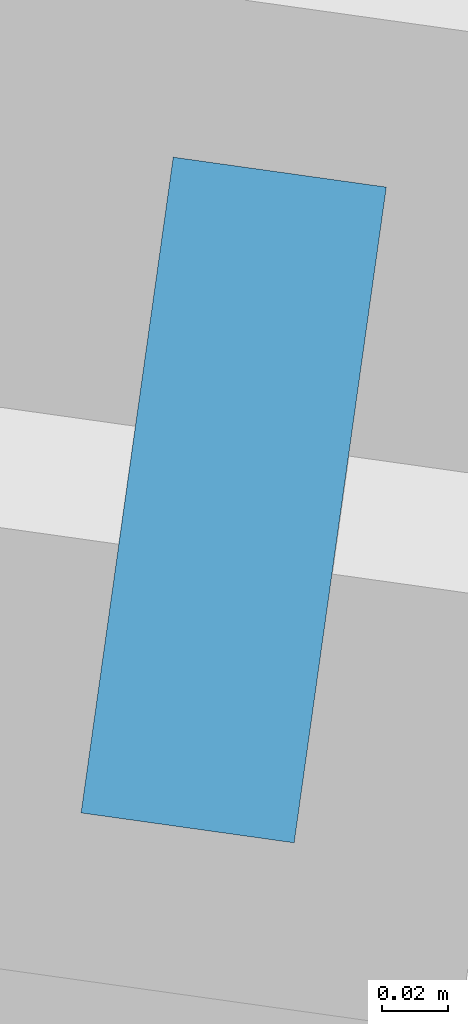
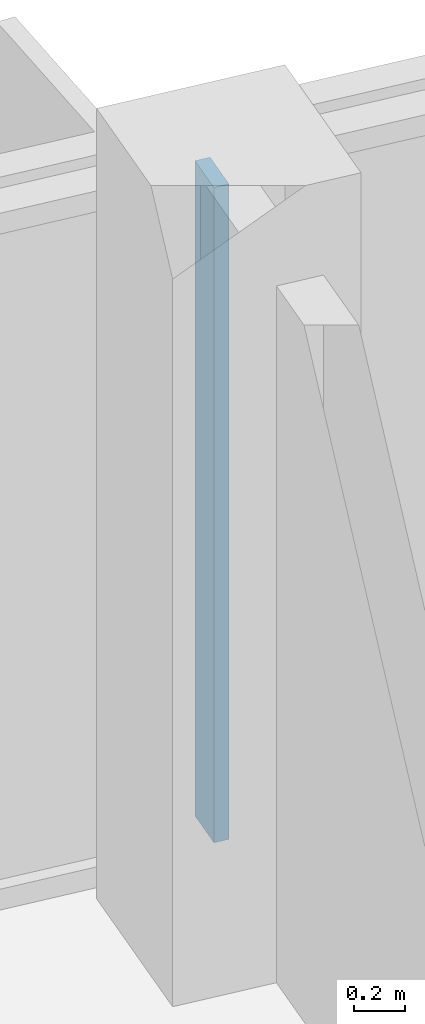
# One storey, part 3 of 26: 1 member, 1 element without a shape of its own.
"""IFC4 building model written with IfcOpenShell, lengths in metres."""

import ifcopenshell
import ifcopenshell.guid

model = None  # the IFC model being written
_history = None  # IfcOwnerHistory: only IFC2X3 demands one
_inside = {}  # id of a spatial element -> (the spatial element, [elements in it])
_under = {}  # id of a project, library or spatial element -> (it, [spatial elements below it])
_declared = {}  # id of a project -> (the project, [libraries it declares])
_typed = {}  # id of a type object -> (the type object, [elements of that type])
_made_of = {}  # id of a material, layer set ... -> (it, [elements and type objects made of it])


def new_model(schema):
    """Start an empty IFC model of exactly this schema.

    Asked for "IFC4X3", IfcOpenShell would pick the latest addendum, in which some entities
    have other attributes; the version numbers below select the first issue.
    IFC2X3 requires an IfcOwnerHistory on every rooted entity: one is made here for all.
    """
    global model, _history
    if schema == "IFC4X3":
        model = ifcopenshell.file(schema_version=(4, 3, 0, 0))
    else:
        model = ifcopenshell.file(schema=schema)
    _inside.clear()
    _under.clear()
    _declared.clear()
    _typed.clear()
    _made_of.clear()
    _history = None
    if model.schema == "IFC2X3":
        org = make("IfcOrganization", Name="unknown")
        user = make(
            "IfcPersonAndOrganization",
            ThePerson=make("IfcPerson", FamilyName="unknown"),
            TheOrganization=org,
        )
        app = make(
            "IfcApplication",
            ApplicationDeveloper=org,
            Version="unknown",
            ApplicationFullName="unknown",
            ApplicationIdentifier="unknown",
        )
        _history = make(
            "IfcOwnerHistory",
            OwningUser=user,
            OwningApplication=app,
            ChangeAction="ADDED",
            CreationDate=0,
        )
    return model


def make(cls, **values):
    """One entity of the class cls with the attributes given. An attribute that is None is left unset."""
    return model.create_entity(
        cls, **{name: value for name, value in values.items() if value is not None}
    )


def rooted(cls, **values):
    """An entity with a GlobalId (a new one), such as an element, a storey or a relation."""
    return make(cls, GlobalId=ifcopenshell.guid.new(), OwnerHistory=_history, **values)


def si_unit(unit_type, name, prefix=None):
    """IfcSIUnit, for example si_unit("LENGTHUNIT", "METRE", prefix="MILLI")."""
    return make("IfcSIUnit", UnitType=unit_type, Prefix=prefix, Name=name)


def assignment(units):
    """IfcUnitAssignment: the units of a project."""
    return None if units is None else make("IfcUnitAssignment", Units=units)


def point(xyz):
    """IfcCartesianPoint."""
    return None if xyz is None else make("IfcCartesianPoint", Coordinates=xyz)


def direction(xyz):
    """IfcDirection."""
    return None if xyz is None else make("IfcDirection", DirectionRatios=xyz)


def frame(location, z_axis=None, x_axis=None):
    """IfcAxis2Placement3D, a coordinate frame: its origin and axes. An axis left out is left unset."""
    return make(
        "IfcAxis2Placement3D",
        Location=point(location),
        Axis=direction(z_axis),
        RefDirection=direction(x_axis),
    )


def frame_2d(location, x_axis=None):
    """IfcAxis2Placement2D, a coordinate frame in the plane: its origin and x axis."""
    return make(
        "IfcAxis2Placement2D", Location=point(location), RefDirection=direction(x_axis)
    )


def origin():
    """The frame at (0, 0, 0) with its axes left unset."""
    return frame((0.0, 0.0, 0.0))


def origin_2d():
    """The frame at (0, 0) in the plane with its x axis left unset."""
    return frame_2d((0.0, 0.0))


def place(relative_to, where):
    """IfcLocalPlacement: puts the frame where relative to a parent placement (None: the world)."""
    return make(
        "IfcLocalPlacement", PlacementRelTo=relative_to, RelativePlacement=where
    )


def context(
    kind, dimensions, precision=None, world=None, true_north=None, identifier=None
):
    """IfcGeometricRepresentationContext, for example the 3D "Model" context."""
    return make(
        "IfcGeometricRepresentationContext",
        ContextIdentifier=identifier,
        ContextType=kind,
        CoordinateSpaceDimension=dimensions,
        Precision=precision,
        WorldCoordinateSystem=world,
        TrueNorth=true_north,
    )


def subcontext(parent, identifier, kind, view, scale=None):
    """IfcGeometricRepresentationSubContext, for example "Body" below "Model"."""
    return make(
        "IfcGeometricRepresentationSubContext",
        ContextIdentifier=identifier,
        ContextType=kind,
        ParentContext=parent,
        TargetScale=scale,
        TargetView=view,
    )


def project(units=None, contexts=None):
    """IfcProject with its units and contexts."""
    return rooted(
        "IfcProject",
        Name="project",
        RepresentationContexts=contexts,
        UnitsInContext=assignment(units),
    )


def spatial(cls, under=None, at=None, **own):
    """A site, building, storey or space (cls), placed at a placement, below another one or the project."""
    s = rooted(cls, ObjectPlacement=at, **own)
    if under is not None:
        _under.setdefault(under.id(), (under, []))[1].append(s)
    return s


def profile(cls, at=None, kind="AREA", **sizes):
    """A parametric profile (cls). Its sizes go by their IFC names, for example OverallWidth=200.0."""
    return make(cls, ProfileType=kind, Position=at, **sizes)


def rectangle(**sizes):
    """IfcRectangleProfileDef."""
    return profile("IfcRectangleProfileDef", **sizes)


def extrude(swept, where, along, depth):
    """IfcExtrudedAreaSolid: the profile swept, set in the frame where, extruded along a direction by depth."""
    return make(
        "IfcExtrudedAreaSolid",
        SweptArea=swept,
        Position=where,
        ExtrudedDirection=direction(along),
        Depth=depth,
    )


def shape(context_of_items, identifier, shape_type, items):
    """IfcShapeRepresentation: the items that make up one representation, for example the "Body"."""
    return make(
        "IfcShapeRepresentation",
        ContextOfItems=context_of_items,
        RepresentationIdentifier=identifier,
        RepresentationType=shape_type,
        Items=items,
    )


def material(Name=None, Category=None):
    """IfcMaterial."""
    return make("IfcMaterial", Name=Name, Category=Category)


def material_profile(
    of_material, cross_section, Name=None, Category=None, Priority=None
):
    """IfcMaterialProfile: a cross section and its material."""
    return make(
        "IfcMaterialProfile",
        Name=Name,
        Material=of_material,
        Profile=cross_section,
        Priority=Priority,
        Category=Category,
    )


def profile_set(profiles, Name=None, composite=None):
    """IfcMaterialProfileSet."""
    return make(
        "IfcMaterialProfileSet",
        Name=Name,
        MaterialProfiles=profiles,
        CompositeProfile=composite,
    )


def made_of(thing, what):
    """Note that an element or type object is made of a material, layer set ...; save() writes the relation."""
    if what is not None:
        _made_of.setdefault(what.id(), (what, []))[1].append(thing)
    return thing


def type_object(cls, material=None, **own):
    """A type object (cls), such as IfcWallType, which elements share."""
    return made_of(rooted(cls, **own), material)


def element(
    cls,
    number,
    at=None,
    inside=None,
    cuts=None,
    type_object=None,
    material=None,
    context=None,
    identifier="Body",
    shape_type=None,
    held_by="IfcProductDefinitionShape",
    body=None,
    shapes=None,
    **own,
):
    """One element of the class cls, such as IfcWall. Its Tag is "e" and its number.

    at: its placement. inside: the storey or other place that contains it. cuts: it is an
    opening in that element (IfcRelVoidsElement). A single representation is given by context,
    identifier, shape_type and body (its items); several are given by shapes. held_by: the class
    of the entity that holds the representations. save() writes the other relations.
    """
    e = rooted(cls, Tag="e%d" % number, ObjectPlacement=at, **own)
    if body is not None:
        shapes = [shape(context, identifier, shape_type, body)]
    if shapes is not None:
        e.Representation = make(held_by, Representations=shapes)
    if inside is not None:
        _inside.setdefault(inside.id(), (inside, []))[1].append(e)
    if cuts is not None:
        rooted(
            "IfcRelVoidsElement", RelatingBuildingElement=cuts, RelatedOpeningElement=e
        )
    if type_object is not None:
        _typed.setdefault(type_object.id(), (type_object, []))[1].append(e)
    return made_of(e, material)


def aggregate(whole, parts):
    """IfcRelAggregates: a whole, such as a stair, and the parts it consists of."""
    return rooted("IfcRelAggregates", RelatingObject=whole, RelatedObjects=parts)


def save(model, path):
    """Write the relations noted so far, then the file.

    IfcRelAggregates (storeys below a building ...), IfcRelContainedInSpatialStructure (elements
    in a storey), IfcRelDefinesByType, IfcRelAssociatesMaterial and IfcRelDeclares: one each for
    every whole, place, type object, material and project.
    """
    for whole, parts in _under.values():
        aggregate(whole, parts)
    for where, things in _inside.values():
        rooted(
            "IfcRelContainedInSpatialStructure",
            RelatedElements=things,
            RelatingStructure=where,
        )
    for kind, things in _typed.values():
        rooted("IfcRelDefinesByType", RelatedObjects=things, RelatingType=kind)
    for what, things in _made_of.values():
        rooted("IfcRelAssociatesMaterial", RelatedObjects=things, RelatingMaterial=what)
    for by, libraries in _declared.values():
        rooted("IfcRelDeclares", RelatingContext=by, RelatedDefinitions=libraries)
    model.write(path)


model = new_model("IFC4")

# Units and contexts
model_context = context("Model", 3, precision=1e-05, world=origin(), true_north=direction((0.0, 1.0)))
body_context = subcontext(model_context, "Body", "Model", "MODEL_VIEW")
ifc_project = project(units=[si_unit("LENGTHUNIT", "METRE"), si_unit("AREAUNIT", "SQUARE_METRE"), si_unit("VOLUMEUNIT", "CUBIC_METRE"), si_unit("PLANEANGLEUNIT", "RADIAN"), si_unit("MASSUNIT", "GRAM", prefix="KILO")], contexts=[model_context])

# Site, building, storey
site_placement = place(None, origin())
site = spatial("IfcSite", under=ifc_project, at=site_placement, CompositionType="ELEMENT")
building_placement = place(site_placement, origin())
building = spatial("IfcBuilding", under=site, at=building_placement, Name="Mirante Cascada Hotel Towers", CompositionType="ELEMENT")
storey_placement = place(building_placement, frame((0.0, 0.0, 168.8)))
storey = spatial("IfcBuildingStorey", under=building, at=storey_placement, Name="L39", CompositionType="ELEMENT", Elevation=168.8)

# Curtain wall, member
ifc_material_1 = material(Name="Aluminium mullion and transom frame with clear laminated glass", Category="aluminium")
curtain_wall_type = type_object("IfcCurtainWallType", Name="Ribbon curtain wall ECW1", PredefinedType="NOTDEFINED", material=ifc_material_1)
curtain_wall_placement = place(storey_placement, origin())
curtain_wall = element("IfcCurtainWall", 1, at=curtain_wall_placement, inside=storey, type_object=curtain_wall_type, Name="Front ribbon wall T1 L39", PredefinedType="NOTDEFINED")
ifc_material_2 = material(Name="Anodised aluminium extrusion", Category="aluminium")
ifc_material_profile = material_profile(ifc_material_2, rectangle(XDim=0.2, YDim=0.065, at=origin_2d()), Name="ECW1 MULLION 65x200")
ifc_profile_set = profile_set([ifc_material_profile], Name="Anodised aluminium extrusion")
member_type = type_object("IfcMemberType", Name="ECW1 mullion 65x200", PredefinedType="MULLION", material=ifc_profile_set)
member_placement = place(storey_placement, frame((-62.8767, 21.6558, 0.1), z_axis=(0.0, 0.0, 1.0), x_axis=(0.1391731, 0.9902681, 0.0)))
member = element("IfcMember", 2, at=member_placement, type_object=member_type, Name="ECW1 mullion 6", PredefinedType="MULLION", context=body_context, shape_type="SweptSolid", body=[
    extrude(rectangle(XDim=0.2, YDim=0.065, at=origin_2d()), origin(), (0.0, 0.0, 1.0), 3.15),
])
aggregate(curtain_wall, [member])

save(model, "model.ifc")
